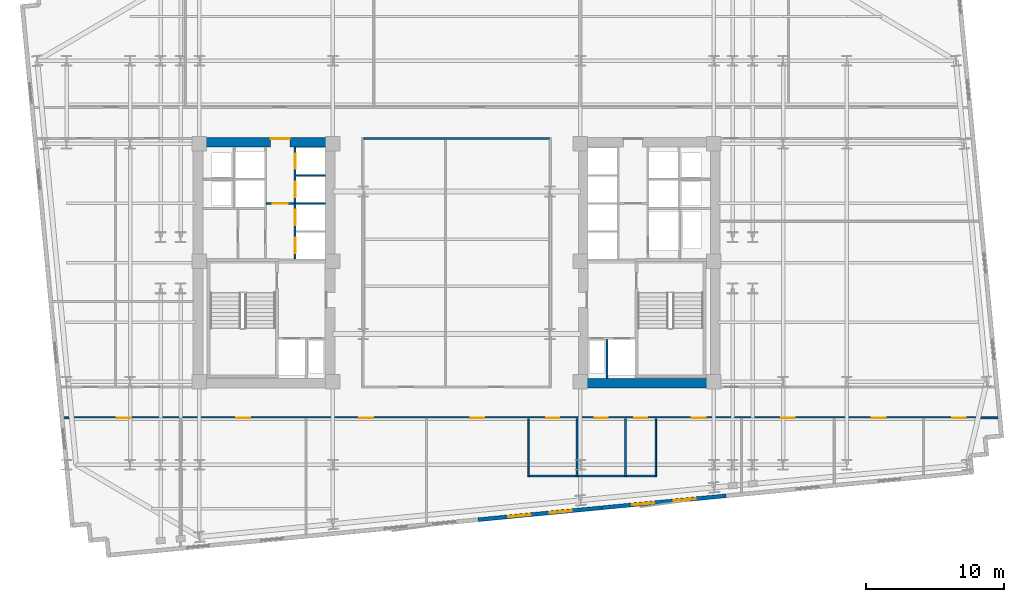
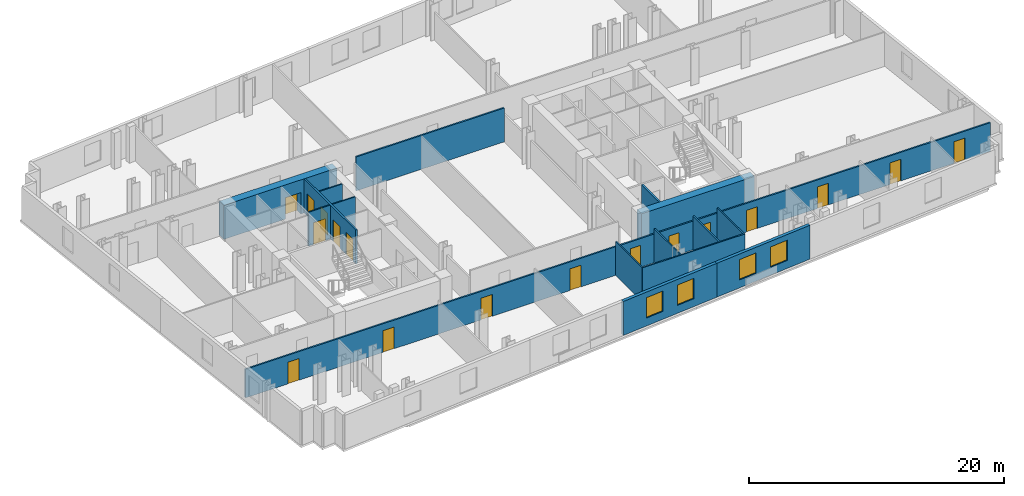
# One storey, part 5 of 10: 17 doors, 16 walls, 4 windows, 21 openings.
"""IFC4 building model written with IfcOpenShell, lengths in metres."""

from ifc_helpers import new_model, si_unit, direction, frame, frame_2d, origin, place, context, subcontext, project, spatial, rectangle, extrude, material, layer, layer_set, type_object, element, fill, save


model = new_model("IFC4")

# Units and contexts
model_context = context("Model", 3, precision=1e-05, world=origin(), true_north=direction((0.0, 1.0)))
body_context = subcontext(model_context, "Body", "Model", "MODEL_VIEW")
ifc_project = project(units=[si_unit("LENGTHUNIT", "METRE"), si_unit("AREAUNIT", "SQUARE_METRE"), si_unit("VOLUMEUNIT", "CUBIC_METRE"), si_unit("PLANEANGLEUNIT", "RADIAN"), si_unit("MASSUNIT", "GRAM", prefix="KILO")], contexts=[model_context])

# Site, building, storey
site_placement = place(None, origin())
site = spatial("IfcSite", under=ifc_project, at=site_placement, CompositionType="ELEMENT")
building_placement = place(site_placement, origin())
building = spatial("IfcBuilding", under=site, at=building_placement, Name="Velakula Bourse", CompositionType="ELEMENT")
storey_placement = place(building_placement, frame((0.0, 0.0, 88.0)))
storey = spatial("IfcBuildingStorey", under=building, at=storey_placement, Name="L23", CompositionType="ELEMENT", Elevation=88.0)

# Wall, opening, door
ifc_material_1 = material(Name="Concrete M70 (fck 70 MPa)", Category="concrete")
ifc_layer_1 = layer(ifc_material_1, 0.699951171875, Name="Concrete M70 (fck 70 MPa)", Category="concrete")
ifc_layer_set_1 = layer_set([ifc_layer_1], Name="Concrete M70 (fck 70 MPa)")
wall_type_1 = type_object("IfcWallType", Name="WL-CORE-700", PredefinedType="SHEAR", material=ifc_layer_set_1)
wall_1_placement = place(storey_placement, frame((-19.050048828125, 8.699951171875, 0.0), z_axis=(0.0, 0.0, 1.0), x_axis=(1.0, 0.0, 0.0)))
wall_1 = element("IfcWall", 1, at=wall_1_placement, inside=storey, type_object=wall_type_1, Name="L23 Core W Shear Wall N", PredefinedType="SHEAR", context=body_context, shape_type="SweptSolid", body=[
    extrude(rectangle(XDim=10.25, YDim=0.699951171875, at=frame_2d((5.125, 0.0))), origin(), (0.0, 0.0, 1.0), 3.27001953125),
])
opening_1_placement = place(wall_1_placement, frame((5.60009765625, 0.0, 0.0)))
opening_1 = element("IfcOpeningElement", 2, at=opening_1_placement, cuts=wall_1, Name="Opening D-LLW", PredefinedType="OPENING", context=body_context, shape_type="SweptSolid", body=[
    extrude(rectangle(XDim=1.39990234375, YDim=2.050048828125, at=frame_2d((0.699951171875, 1.02490234375))), frame((0.0, 0.35986328125, 0.0), z_axis=(0.0, -1.0, 0.0), x_axis=(1.0, 0.0, 0.0)), (0.0, 0.0, 1.0), 0.719970703125),
])
ifc_material_2 = material(Name="Fire-rated hardwood flush architectural door", Category="wood")
door_type_1 = type_object("IfcDoorType", Name="DR-DBL-FD60-1400", OperationType="DOUBLE_DOOR_SINGLE_SWING", PredefinedType="DOOR", material=ifc_material_2)
door_1_placement = place(opening_1_placement, origin())
door_1 = element("IfcDoor", 3, at=door_1_placement, inside=storey, type_object=door_type_1, Name="L23 Core W Lift Lobby Corridor Double Door", OperationType="DOUBLE_DOOR_SINGLE_SWING", OverallHeight=2.050048828125, OverallWidth=1.39990234375, PredefinedType="DOOR", context=body_context, shape_type="SweptSolid", body=[
    extrude(rectangle(XDim=1.39990234375, YDim=2.050048828125, at=frame_2d((0.699951171875, 1.02490234375))), frame((0.0, 0.294921875, 0.0), z_axis=(0.0, -1.0, 0.0), x_axis=(1.0, 0.0, 0.0)), (0.0, 0.0, 1.0), 0.050048828125),
])
fill(opening_1, door_1)

# Wall
wall_2_placement = place(storey_placement, frame((8.800048828125, -8.699951171875, 0.0), z_axis=(0.0, 0.0, 1.0), x_axis=(1.0, 0.0, 0.0)))
element("IfcWall", 4, at=wall_2_placement, inside=storey, type_object=wall_type_1, Name="L23 Core E Shear Wall S", PredefinedType="SHEAR", context=body_context, shape_type="SweptSolid", body=[
    extrude(rectangle(XDim=10.25, YDim=0.699951171875, at=frame_2d((5.125, 0.0))), origin(), (0.0, 0.0, 1.0), 3.27001953125),
])

# Wall, openings, windows
ifc_material_3 = material(Name="Red kilned clay facing brick masonry", Category="masonry")
ifc_layer_2 = layer(ifc_material_3, 0.280029296875, Name="Red kilned clay facing brick masonry", Category="masonry")
ifc_layer_set_2 = layer_set([ifc_layer_2], Name="Red kilned clay facing brick masonry")
wall_type_2 = type_object("IfcWallType", Name="WL-EXT-BRK-280", PredefinedType="STANDARD", material=ifc_layer_set_2)
wall_3_placement = place(storey_placement, frame((10.51513671875, -17.7109375, 0.0), z_axis=(0.0, 0.0, 1.0), x_axis=(-0.995397043619, -0.095836973841, 0.0)))
wall_3 = element("IfcWall", 5, at=wall_3_placement, inside=storey, type_object=wall_type_2, Name="L23 S Brick Spandrel Wall B3", PredefinedType="STANDARD", context=body_context, shape_type="SweptSolid", body=[
    extrude(rectangle(XDim=9.000244140625, YDim=0.280029296875, at=frame_2d((4.5, 0.0))), origin(), (0.0, 0.0, 1.0), 3.25),
])
opening_2_placement = place(wall_3_placement, frame((2.199951171875, 0.0, 0.760009765625)))
opening_2 = element("IfcOpeningElement", 6, at=opening_2_placement, cuts=wall_3, Name="Opening W-02", PredefinedType="OPENING", context=body_context, shape_type="SweptSolid", body=[
    extrude(rectangle(XDim=1.60009765625, YDim=1.949951171875, at=frame_2d((0.800048828125, 0.97509765625))), frame((0.0, 0.14990234375, 0.0), z_axis=(0.0, -1.0, 0.0), x_axis=(1.0, 0.0, 0.0)), (0.0, 0.0, 1.0), 0.300048828125),
])
opening_3_placement = place(wall_3_placement, frame((5.199951171875, 0.0, 0.760009765625)))
opening_3 = element("IfcOpeningElement", 7, at=opening_3_placement, cuts=wall_3, Name="Opening W-02", PredefinedType="OPENING", context=body_context, shape_type="SweptSolid", body=[
    extrude(rectangle(XDim=1.60009765625, YDim=1.949951171875, at=frame_2d((0.800048828125, 0.97509765625))), frame((0.0, 0.14990234375, 0.0), z_axis=(0.0, -1.0, 0.0), x_axis=(1.0, 0.0, 0.0)), (0.0, 0.0, 1.0), 0.300048828125),
])
ifc_material_4 = material(Name="Double-glazed solar-control Low-E glass", Category="glass")
window_type = type_object("IfcWindowType", Name="WIN-TWR-1600x2100", PartitioningType="SINGLE_PANEL", PredefinedType="WINDOW", material=ifc_material_4)
window_1_placement = place(opening_2_placement, origin())
window_1 = element("IfcWindow", 8, at=window_1_placement, inside=storey, type_object=window_type, Name="L23 Deep-Set Recessed Window 1", OverallHeight=1.949951171875, OverallWidth=1.60009765625, PartitioningType="SINGLE_PANEL", PredefinedType="WINDOW", context=body_context, shape_type="SweptSolid", body=[
    extrude(rectangle(XDim=1.60009765625, YDim=1.949951171875, at=frame_2d((0.800048828125, 0.97509765625))), frame((0.0, 0.030029296875, 0.0), z_axis=(0.0, -1.0, 0.0), x_axis=(1.0, 0.0, 0.0)), (0.0, 0.0, 1.0), 0.06005859375),
])
fill(opening_2, window_1)
window_2_placement = place(opening_3_placement, origin())
window_2 = element("IfcWindow", 9, at=window_2_placement, inside=storey, type_object=window_type, Name="L23 Deep-Set Recessed Window 2", OverallHeight=1.949951171875, OverallWidth=1.60009765625, PartitioningType="SINGLE_PANEL", PredefinedType="WINDOW", context=body_context, shape_type="SweptSolid", body=[
    extrude(rectangle(XDim=1.60009765625, YDim=1.949951171875, at=frame_2d((0.800048828125, 0.97509765625))), frame((0.0, 0.030029296875, 0.0), z_axis=(0.0, -1.0, 0.0), x_axis=(1.0, 0.0, 0.0)), (0.0, 0.0, 1.0), 0.06005859375),
])
fill(opening_3, window_2)

wall_4_placement = place(storey_placement, frame((19.4736328125, -16.848388671875, 0.0), z_axis=(0.0, 0.0, 1.0), x_axis=(-0.995396794462, -0.09583956164, 0.0)))
wall_4 = element("IfcWall", 10, at=wall_4_placement, inside=storey, type_object=wall_type_2, Name="L23 S Brick Spandrel Wall B4", PredefinedType="STANDARD", context=body_context, shape_type="SweptSolid", body=[
    extrude(rectangle(XDim=9.0, YDim=0.280029296875, at=frame_2d((4.5, 0.0))), origin(), (0.0, 0.0, 1.0), 3.25),
])
opening_4_placement = place(wall_4_placement, frame((2.199951171875, 0.0, 0.760009765625)))
opening_4 = element("IfcOpeningElement", 11, at=opening_4_placement, cuts=wall_4, Name="Opening W-02", PredefinedType="OPENING", context=body_context, shape_type="SweptSolid", body=[
    extrude(rectangle(XDim=1.60009765625, YDim=1.949951171875, at=frame_2d((0.800048828125, 0.97509765625))), frame((0.0, 0.14990234375, 0.0), z_axis=(0.0, -1.0, 0.0), x_axis=(1.0, 0.0, 0.0)), (0.0, 0.0, 1.0), 0.300048828125),
])
opening_5_placement = place(wall_4_placement, frame((5.199951171875, 0.0, 0.760009765625)))
opening_5 = element("IfcOpeningElement", 12, at=opening_5_placement, cuts=wall_4, Name="Opening W-02", PredefinedType="OPENING", context=body_context, shape_type="SweptSolid", body=[
    extrude(rectangle(XDim=1.60009765625, YDim=1.949951171875, at=frame_2d((0.800048828125, 0.97509765625))), frame((0.0, 0.14990234375, 0.0), z_axis=(0.0, -1.0, 0.0), x_axis=(1.0, 0.0, 0.0)), (0.0, 0.0, 1.0), 0.300048828125),
])
window_3_placement = place(opening_4_placement, origin())
window_3 = element("IfcWindow", 13, at=window_3_placement, inside=storey, type_object=window_type, Name="L23 Deep-Set Recessed Window 1", OverallHeight=1.949951171875, OverallWidth=1.60009765625, PartitioningType="SINGLE_PANEL", PredefinedType="WINDOW", context=body_context, shape_type="SweptSolid", body=[
    extrude(rectangle(XDim=1.60009765625, YDim=1.949951171875, at=frame_2d((0.800048828125, 0.97509765625))), frame((0.0, 0.030029296875, 0.0), z_axis=(0.0, -1.0, 0.0), x_axis=(1.0, 0.0, 0.0)), (0.0, 0.0, 1.0), 0.06005859375),
])
fill(opening_4, window_3)
window_4_placement = place(opening_5_placement, origin())
window_4 = element("IfcWindow", 14, at=window_4_placement, inside=storey, type_object=window_type, Name="L23 Deep-Set Recessed Window 2", OverallHeight=1.949951171875, OverallWidth=1.60009765625, PartitioningType="SINGLE_PANEL", PredefinedType="WINDOW", context=body_context, shape_type="SweptSolid", body=[
    extrude(rectangle(XDim=1.60009765625, YDim=1.949951171875, at=frame_2d((0.800048828125, 0.97509765625))), frame((0.0, 0.030029296875, 0.0), z_axis=(0.0, -1.0, 0.0), x_axis=(1.0, 0.0, 0.0)), (0.0, 0.0, 1.0), 0.06005859375),
])
fill(opening_5, window_4)

# Wall, opening, door
ifc_material_5 = material(Name="Fire-rated double-layer gypsum drywall partition", Category="gypsum")
ifc_layer_3 = layer(ifc_material_5, 0.1201171875, Name="Fire-rated double-layer gypsum drywall partition", Category="gypsum")
ifc_layer_set_3 = layer_set([ifc_layer_3], Name="Fire-rated double-layer gypsum drywall partition")
wall_type_3 = type_object("IfcWallType", Name="WL-PART-120", PredefinedType="STANDARD", material=ifc_layer_set_3)
wall_5_placement = place(storey_placement, frame((-13.75, 4.280029296875, 0.0), z_axis=(0.0, 0.0, 1.0), x_axis=(1.0, 0.0, 0.0)))
wall_5 = element("IfcWall", 15, at=wall_5_placement, inside=storey, type_object=wall_type_3, Name="L23 Interior Partition WL-CRW-L23-LL-K2", PredefinedType="STANDARD", context=body_context, shape_type="SweptSolid", body=[
    extrude(rectangle(XDim=2.0, YDim=0.1201171875, at=frame_2d((1.0, 0.0))), origin(), (0.0, 0.0, 1.0), 3.25),
])
opening_6_placement = place(wall_5_placement, frame((0.449951171875, 0.0, 0.0)))
opening_6 = element("IfcOpeningElement", 16, at=opening_6_placement, cuts=wall_5, Name="Opening D-LK2", PredefinedType="OPENING", context=body_context, shape_type="SweptSolid", body=[
    extrude(rectangle(XDim=1.10009765625, YDim=2.10009765625, at=frame_2d((0.550048828125, 1.050048828125))), frame((0.0, 0.070068359375, 0.0), z_axis=(0.0, -1.0, 0.0), x_axis=(1.0, 0.0, 0.0)), (0.0, 0.0, 1.0), 0.14013671875),
])
door_type_2 = type_object("IfcDoorType", Name="DR-FD60-1100x2100", OperationType="NOTDEFINED", PredefinedType="DOOR", material=ifc_material_2)
door_2_placement = place(opening_6_placement, origin())
door_2 = element("IfcDoor", 17, at=door_2_placement, inside=storey, type_object=door_type_2, Name="L23 Core W Lift Lobby Zone Door", OperationType="SINGLE_SWING_RIGHT", OverallHeight=2.10009765625, OverallWidth=1.10009765625, PredefinedType="DOOR", context=body_context, shape_type="SweptSolid", body=[
    extrude(rectangle(XDim=1.10009765625, YDim=2.10009765625, at=frame_2d((0.550048828125, 1.050048828125))), frame((0.0, 0.02490234375, 0.0), z_axis=(0.0, -1.0, 0.0), x_axis=(1.0, 0.0, 0.0)), (0.0, 0.0, 1.0), 0.050048828125),
])
fill(opening_6, door_2)

# Walls
for number, where, z_axis, x_axis, name in (
    (18, (-11.60009765625, 4.284912109375, 0.0), (0.0, 0.0, 1.0), (1.0, 0.0, 0.0), "L23 Interior Partition WL-CRW-L23-BDIV-1"),
    (19, (-11.60009765625, 6.31494140625, 0.0), (0.0, 0.0, 1.0), (1.0, 0.0, 0.0), "L23 Interior Partition WL-CRW-L23-BDIV-2"),
):
    element("IfcWall", number, at=place(storey_placement, frame(where, z_axis=z_axis, x_axis=x_axis)), inside=storey, type_object=wall_type_3, Name=name, PredefinedType="STANDARD", context=body_context, shape_type="SweptSolid", body=[
        extrude(rectangle(XDim=2.10009765625, YDim=0.110107421875, at=frame_2d((1.050048828125, 0.0))), origin(), (0.0, 0.0, 1.0), 3.25),
    ])
wall_6_placement = place(storey_placement, frame((5.139892578125, -15.419921875, 0.0), z_axis=(0.0, 0.0, 1.0), x_axis=(1.0, 0.0, 0.0)))
element("IfcWall", 20, at=wall_6_placement, inside=storey, type_object=wall_type_3, Name="L23 Interior Partition WL-WC-L23-BACK", PredefinedType="STANDARD", context=body_context, shape_type="SweptSolid", body=[
    extrude(rectangle(XDim=9.320068359375, YDim=0.1201171875, at=frame_2d((4.66015625, 0.0))), origin(), (0.0, 0.0, 1.0), 3.25),
])
for number, where, z_axis, x_axis, name in (
    (21, (5.199951171875, -15.419921875, 0.0), (0.0, 0.0, 1.0), (0.0, 1.0, 0.0), "L23 Interior Partition WL-WC-L23-V1"),
    (22, (8.699951171875, -15.419921875, 0.0), (0.0, 0.0, 1.0), (0.0, 1.0, 0.0), "L23 Interior Partition WL-WC-L23-V2"),
    (23, (12.199951171875, -15.419921875, 0.0), (0.0, 0.0, 1.0), (0.0, 1.0, 0.0), "L23 Interior Partition WL-WC-L23-V3"),
    (24, (14.39990234375, -15.419921875, 0.0), (0.0, 0.0, 1.0), (0.0, 1.0, 0.0), "L23 Interior Partition WL-WC-L23-V4"),
):
    element("IfcWall", number, at=place(storey_placement, frame(where, z_axis=z_axis, x_axis=x_axis)), inside=storey, type_object=wall_type_3, Name=name, PredefinedType="STANDARD", context=body_context, shape_type="SweptSolid", body=[
        extrude(rectangle(XDim=4.1298828125, YDim=0.1201171875, at=frame_2d((2.06494140625, 0.0))), origin(), (0.0, 0.0, 1.0), 3.25),
    ])

# Wall, openings, doors
ifc_layer_4 = layer(ifc_material_5, 0.139892578125, Name="Fire-rated double-layer gypsum drywall partition", Category="gypsum")
ifc_layer_set_4 = layer_set([ifc_layer_4], Name="Fire-rated double-layer gypsum drywall partition")
wall_type_4 = type_object("IfcWallType", Name="WL-PART-140", PredefinedType="STANDARD", material=ifc_layer_set_4)
wall_7_placement = place(storey_placement, frame((-28.40625, -11.219970703125, 0.0), z_axis=(0.0, 0.0, 1.0), x_axis=(1.0, 0.0, 0.0)))
wall_7 = element("IfcWall", 25, at=wall_7_placement, inside=storey, type_object=wall_type_4, Name="L23 Interior Partition WL-INT-L23-S-CORR", PredefinedType="STANDARD", context=body_context, shape_type="SweptSolid", body=[
    extrude(rectangle(XDim=67.551025390625, YDim=0.139892578125, at=frame_2d((33.775390625, 0.0))), origin(), (0.0, 0.0, 1.0), 2.7451171875),
])
opening_7_placement = place(wall_7_placement, frame((34.896240234375, 0.0, 0.0)))
opening_7 = element("IfcOpeningElement", 26, at=opening_7_placement, cuts=wall_7, Name="Opening D-WT1", PredefinedType="OPENING", context=body_context, shape_type="SweptSolid", body=[
    extrude(rectangle(XDim=0.919921875, YDim=2.080078125, at=frame_2d((0.4599609375, 1.0400390625))), frame((0.0, 0.079833984375, 0.0), z_axis=(0.0, -1.0, 0.0), x_axis=(1.0, 0.0, 0.0)), (0.0, 0.0, 1.0), 0.159912109375),
])
opening_8_placement = place(wall_7_placement, frame((38.396240234375, 0.0, 0.0)))
opening_8 = element("IfcOpeningElement", 27, at=opening_8_placement, cuts=wall_7, Name="Opening D-WT1", PredefinedType="OPENING", context=body_context, shape_type="SweptSolid", body=[
    extrude(rectangle(XDim=0.919921875, YDim=2.080078125, at=frame_2d((0.4599609375, 1.0400390625))), frame((0.0, 0.079833984375, 0.0), z_axis=(0.0, -1.0, 0.0), x_axis=(1.0, 0.0, 0.0)), (0.0, 0.0, 1.0), 0.159912109375),
])
opening_9_placement = place(wall_7_placement, frame((41.246337890625, 0.0, 0.0)))
opening_9 = element("IfcOpeningElement", 28, at=opening_9_placement, cuts=wall_7, Name="Opening D-WC1", PredefinedType="OPENING", context=body_context, shape_type="SweptSolid", body=[
    extrude(rectangle(XDim=0.919921875, YDim=2.080078125, at=frame_2d((0.4599609375, 1.0400390625))), frame((0.0, 0.079833984375, 0.0), z_axis=(0.0, -1.0, 0.0), x_axis=(1.0, 0.0, 0.0)), (0.0, 0.0, 1.0), 0.159912109375),
])
opening_10_placement = place(wall_7_placement, frame((3.85205078125, 0.0, 0.0)))
opening_10 = element("IfcOpeningElement", 29, at=opening_10_placement, cuts=wall_7, Name="Opening D-OF1", PredefinedType="OPENING", context=body_context, shape_type="SweptSolid", body=[
    extrude(rectangle(XDim=1.0, YDim=2.080078125, at=frame_2d((0.5, 1.0400390625))), frame((0.0, 0.079833984375, 0.0), z_axis=(0.0, -1.0, 0.0), x_axis=(1.0, 0.0, 0.0)), (0.0, 0.0, 1.0), 0.159912109375),
])
opening_11_placement = place(wall_7_placement, frame((12.479736328125, 0.0, 0.0)))
opening_11 = element("IfcOpeningElement", 30, at=opening_11_placement, cuts=wall_7, Name="Opening D-OF1", PredefinedType="OPENING", context=body_context, shape_type="SweptSolid", body=[
    extrude(rectangle(XDim=1.0, YDim=2.080078125, at=frame_2d((0.5, 1.0400390625))), frame((0.0, 0.079833984375, 0.0), z_axis=(0.0, -1.0, 0.0), x_axis=(1.0, 0.0, 0.0)), (0.0, 0.0, 1.0), 0.159912109375),
])
opening_12_placement = place(wall_7_placement, frame((21.3671875, 0.0, 0.0)))
opening_12 = element("IfcOpeningElement", 31, at=opening_12_placement, cuts=wall_7, Name="Opening D-OF1", PredefinedType="OPENING", context=body_context, shape_type="SweptSolid", body=[
    extrude(rectangle(XDim=1.0, YDim=2.080078125, at=frame_2d((0.5, 1.0400390625))), frame((0.0, 0.079833984375, 0.0), z_axis=(0.0, -1.0, 0.0), x_axis=(1.0, 0.0, 0.0)), (0.0, 0.0, 1.0), 0.159912109375),
])
opening_13_placement = place(wall_7_placement, frame((29.416748046875, 0.0, 0.0)))
opening_13 = element("IfcOpeningElement", 32, at=opening_13_placement, cuts=wall_7, Name="Opening D-OF1", PredefinedType="OPENING", context=body_context, shape_type="SweptSolid", body=[
    extrude(rectangle(XDim=1.0, YDim=2.080078125, at=frame_2d((0.5, 1.0400390625))), frame((0.0, 0.079833984375, 0.0), z_axis=(0.0, -1.0, 0.0), x_axis=(1.0, 0.0, 0.0)), (0.0, 0.0, 1.0), 0.159912109375),
])
opening_14_placement = place(wall_7_placement, frame((45.4052734375, 0.0, 0.0)))
opening_14 = element("IfcOpeningElement", 33, at=opening_14_placement, cuts=wall_7, Name="Opening D-OF1", PredefinedType="OPENING", context=body_context, shape_type="SweptSolid", body=[
    extrude(rectangle(XDim=1.0, YDim=2.080078125, at=frame_2d((0.5, 1.0400390625))), frame((0.0, 0.079833984375, 0.0), z_axis=(0.0, -1.0, 0.0), x_axis=(1.0, 0.0, 0.0)), (0.0, 0.0, 1.0), 0.159912109375),
])
opening_15_placement = place(wall_7_placement, frame((51.851806640625, 0.0, 0.0)))
opening_15 = element("IfcOpeningElement", 34, at=opening_15_placement, cuts=wall_7, Name="Opening D-OF1", PredefinedType="OPENING", context=body_context, shape_type="SweptSolid", body=[
    extrude(rectangle(XDim=1.0, YDim=2.080078125, at=frame_2d((0.5, 1.0400390625))), frame((0.0, 0.079833984375, 0.0), z_axis=(0.0, -1.0, 0.0), x_axis=(1.0, 0.0, 0.0)), (0.0, 0.0, 1.0), 0.159912109375),
])
opening_16_placement = place(wall_7_placement, frame((58.42236328125, 0.0, 0.0)))
opening_16 = element("IfcOpeningElement", 35, at=opening_16_placement, cuts=wall_7, Name="Opening D-OF1", PredefinedType="OPENING", context=body_context, shape_type="SweptSolid", body=[
    extrude(rectangle(XDim=1.0, YDim=2.080078125, at=frame_2d((0.5, 1.0400390625))), frame((0.0, 0.079833984375, 0.0), z_axis=(0.0, -1.0, 0.0), x_axis=(1.0, 0.0, 0.0)), (0.0, 0.0, 1.0), 0.159912109375),
])
opening_17_placement = place(wall_7_placement, frame((64.22216796875, 0.0, 0.0)))
opening_17 = element("IfcOpeningElement", 36, at=opening_17_placement, cuts=wall_7, Name="Opening D-OF1", PredefinedType="OPENING", context=body_context, shape_type="SweptSolid", body=[
    extrude(rectangle(XDim=1.0, YDim=2.080078125, at=frame_2d((0.5, 1.0400390625))), frame((0.0, 0.079833984375, 0.0), z_axis=(0.0, -1.0, 0.0), x_axis=(1.0, 0.0, 0.0)), (0.0, 0.0, 1.0), 0.159912109375),
])
door_type_3 = type_object("IfcDoorType", Name="DR-OFF-1000", OperationType="NOTDEFINED", PredefinedType="DOOR", material=ifc_material_2)
door_3_placement = place(opening_10_placement, origin())
door_3 = element("IfcDoor", 37, at=door_3_placement, inside=storey, type_object=door_type_3, Name="L23 Sky-Garden Veranda Lounge Door", OperationType="SINGLE_SWING_LEFT", OverallHeight=2.080078125, OverallWidth=1.0, PredefinedType="DOOR", context=body_context, shape_type="SweptSolid", body=[
    extrude(rectangle(XDim=1.0, YDim=2.080078125, at=frame_2d((0.5, 1.0400390625))), frame((0.0, 0.02490234375, 0.0), z_axis=(0.0, -1.0, 0.0), x_axis=(1.0, 0.0, 0.0)), (0.0, 0.0, 1.0), 0.050048828125),
])
fill(opening_10, door_3)
door_4_placement = place(opening_11_placement, origin())
door_4 = element("IfcDoor", 38, at=door_4_placement, inside=storey, type_object=door_type_3, Name="L23 General Counsel Office Door", OperationType="SINGLE_SWING_RIGHT", OverallHeight=2.080078125, OverallWidth=1.0, PredefinedType="DOOR", context=body_context, shape_type="SweptSolid", body=[
    extrude(rectangle(XDim=1.0, YDim=2.080078125, at=frame_2d((0.5, 1.0400390625))), frame((0.0, 0.02490234375, 0.0), z_axis=(0.0, -1.0, 0.0), x_axis=(1.0, 0.0, 0.0)), (0.0, 0.0, 1.0), 0.050048828125),
])
fill(opening_11, door_4)
door_5_placement = place(opening_12_placement, origin())
door_5 = element("IfcDoor", 39, at=door_5_placement, inside=storey, type_object=door_type_3, Name="L23 Yield Curve Seminar Room Door", OperationType="SINGLE_SWING_LEFT", OverallHeight=2.080078125, OverallWidth=1.0, PredefinedType="DOOR", context=body_context, shape_type="SweptSolid", body=[
    extrude(rectangle(XDim=1.0, YDim=2.080078125, at=frame_2d((0.5, 1.0400390625))), frame((0.0, 0.02490234375, 0.0), z_axis=(0.0, -1.0, 0.0), x_axis=(1.0, 0.0, 0.0)), (0.0, 0.0, 1.0), 0.050048828125),
])
fill(opening_12, door_5)
door_6_placement = place(opening_13_placement, origin())
door_6 = element("IfcDoor", 40, at=door_6_placement, inside=storey, type_object=door_type_3, Name="L23 Traders Pantry Door", OperationType="SINGLE_SWING_RIGHT", OverallHeight=2.080078125, OverallWidth=1.0, PredefinedType="DOOR", context=body_context, shape_type="SweptSolid", body=[
    extrude(rectangle(XDim=1.0, YDim=2.080078125, at=frame_2d((0.5, 1.0400390625))), frame((0.0, 0.02490234375, 0.0), z_axis=(0.0, -1.0, 0.0), x_axis=(1.0, 0.0, 0.0)), (0.0, 0.0, 1.0), 0.050048828125),
])
fill(opening_13, door_6)
door_7_placement = place(opening_14_placement, origin())
door_7 = element("IfcDoor", 41, at=door_7_placement, inside=storey, type_object=door_type_3, Name="L23 Prime-Brokerage Dealing Workspace Door", OperationType="SINGLE_SWING_LEFT", OverallHeight=2.080078125, OverallWidth=1.0, PredefinedType="DOOR", context=body_context, shape_type="SweptSolid", body=[
    extrude(rectangle(XDim=1.0, YDim=2.080078125, at=frame_2d((0.5, 1.0400390625))), frame((0.0, 0.02490234375, 0.0), z_axis=(0.0, -1.0, 0.0), x_axis=(1.0, 0.0, 0.0)), (0.0, 0.0, 1.0), 0.050048828125),
])
fill(opening_14, door_7)
door_8_placement = place(opening_15_placement, origin())
door_8 = element("IfcDoor", 42, at=door_8_placement, inside=storey, type_object=door_type_3, Name="L23 Primary Dealer Office Door", OperationType="SINGLE_SWING_RIGHT", OverallHeight=2.080078125, OverallWidth=1.0, PredefinedType="DOOR", context=body_context, shape_type="SweptSolid", body=[
    extrude(rectangle(XDim=1.0, YDim=2.080078125, at=frame_2d((0.5, 1.0400390625))), frame((0.0, 0.02490234375, 0.0), z_axis=(0.0, -1.0, 0.0), x_axis=(1.0, 0.0, 0.0)), (0.0, 0.0, 1.0), 0.050048828125),
])
fill(opening_15, door_8)
door_9_placement = place(opening_16_placement, origin())
door_9 = element("IfcDoor", 43, at=door_9_placement, inside=storey, type_object=door_type_3, Name="L23 Sky-Garden Veranda Lounge Door", OperationType="SINGLE_SWING_LEFT", OverallHeight=2.080078125, OverallWidth=1.0, PredefinedType="DOOR", context=body_context, shape_type="SweptSolid", body=[
    extrude(rectangle(XDim=1.0, YDim=2.080078125, at=frame_2d((0.5, 1.0400390625))), frame((0.0, 0.02490234375, 0.0), z_axis=(0.0, -1.0, 0.0), x_axis=(1.0, 0.0, 0.0)), (0.0, 0.0, 1.0), 0.050048828125),
])
fill(opening_16, door_9)
door_10_placement = place(opening_17_placement, origin())
door_10 = element("IfcDoor", 44, at=door_10_placement, inside=storey, type_object=door_type_3, Name="L23 General Counsel Office Door", OperationType="SINGLE_SWING_RIGHT", OverallHeight=2.080078125, OverallWidth=1.0, PredefinedType="DOOR", context=body_context, shape_type="SweptSolid", body=[
    extrude(rectangle(XDim=1.0, YDim=2.080078125, at=frame_2d((0.5, 1.0400390625))), frame((0.0, 0.02490234375, 0.0), z_axis=(0.0, -1.0, 0.0), x_axis=(1.0, 0.0, 0.0)), (0.0, 0.0, 1.0), 0.050048828125),
])
fill(opening_17, door_10)
door_type_4 = type_object("IfcDoorType", Name="DR-WC-950", OperationType="NOTDEFINED", PredefinedType="DOOR", material=ifc_material_2)
door_11_placement = place(opening_7_placement, origin())
door_11 = element("IfcDoor", 45, at=door_11_placement, inside=storey, type_object=door_type_4, Name="L23 Male Staff Toilet Door", OperationType="SINGLE_SWING_RIGHT", OverallHeight=2.080078125, OverallWidth=0.919921875, PredefinedType="DOOR", context=body_context, shape_type="SweptSolid", body=[
    extrude(rectangle(XDim=0.919921875, YDim=2.080078125, at=frame_2d((0.4599609375, 1.0400390625))), frame((0.0, 0.02490234375, 0.0), z_axis=(0.0, -1.0, 0.0), x_axis=(1.0, 0.0, 0.0)), (0.0, 0.0, 1.0), 0.050048828125),
])
fill(opening_7, door_11)
door_12_placement = place(opening_8_placement, origin())
door_12 = element("IfcDoor", 46, at=door_12_placement, inside=storey, type_object=door_type_4, Name="L23 Female Staff Toilet Door", OperationType="SINGLE_SWING_LEFT", OverallHeight=2.080078125, OverallWidth=0.919921875, PredefinedType="DOOR", context=body_context, shape_type="SweptSolid", body=[
    extrude(rectangle(XDim=0.919921875, YDim=2.080078125, at=frame_2d((0.4599609375, 1.0400390625))), frame((0.0, 0.02490234375, 0.0), z_axis=(0.0, -1.0, 0.0), x_axis=(1.0, 0.0, 0.0)), (0.0, 0.0, 1.0), 0.050048828125),
])
fill(opening_8, door_12)
door_13_placement = place(opening_9_placement, origin())
door_13 = element("IfcDoor", 47, at=door_13_placement, inside=storey, type_object=door_type_4, Name="L23 Accessible WC Door", OperationType="SINGLE_SWING_RIGHT", OverallHeight=2.080078125, OverallWidth=0.919921875, PredefinedType="DOOR", context=body_context, shape_type="SweptSolid", body=[
    extrude(rectangle(XDim=0.919921875, YDim=2.080078125, at=frame_2d((0.4599609375, 1.0400390625))), frame((0.0, 0.02490234375, 0.0), z_axis=(0.0, -1.0, 0.0), x_axis=(1.0, 0.0, 0.0)), (0.0, 0.0, 1.0), 0.050048828125),
])
fill(opening_9, door_13)

# Wall
wall_8_placement = place(storey_placement, frame((-6.7099609375, 8.97998046875, 0.0), z_axis=(0.0, 0.0, 1.0), x_axis=(1.0, 0.0, 0.0)))
element("IfcWall", 48, at=wall_8_placement, inside=storey, type_object=wall_type_4, Name="L23 Interior Partition WL-INT-L23-MID-N", PredefinedType="STANDARD", context=body_context, shape_type="SweptSolid", body=[
    extrude(rectangle(XDim=13.419921875, YDim=0.139892578125, at=frame_2d((6.7099609375, 0.0))), origin(), (0.0, 0.0, 1.0), 3.25),
])

# Wall, openings, doors
ifc_material_6 = material(Name="Autoclaved aerated concrete blockwork masonry", Category="masonry")
ifc_layer_5 = layer(ifc_material_6, 0.14990234375, Name="Autoclaved aerated concrete blockwork masonry", Category="masonry")
ifc_layer_set_5 = layer_set([ifc_layer_5], Name="Autoclaved aerated concrete blockwork masonry")
wall_type_5 = type_object("IfcWallType", Name="WL-SHAFT-150", PredefinedType="STANDARD", material=ifc_layer_set_5)
wall_9_placement = place(storey_placement, frame((-11.675048828125, 0.27001953125, 0.0), z_axis=(0.0, 0.0, 1.0), x_axis=(0.0, 1.0, 0.0)))
wall_9 = element("IfcWall", 49, at=wall_9_placement, inside=storey, type_object=wall_type_5, Name="L23 Interior Partition WL-CRW-L23-BANK-F", PredefinedType="STANDARD", context=body_context, shape_type="SweptSolid", body=[
    extrude(rectangle(XDim=8.080078125, YDim=0.14990234375, at=frame_2d((4.0400390625, 0.0))), origin(), (0.0, 0.0, 1.0), 3.25),
])
opening_18_placement = place(wall_9_placement, frame((0.419921875, 0.0, 0.0)))
opening_18 = element("IfcOpeningElement", 50, at=opening_18_placement, cuts=wall_9, Name="Opening LD-P1", PredefinedType="OPENING", context=body_context, shape_type="SweptSolid", body=[
    extrude(rectangle(XDim=1.10009765625, YDim=2.10009765625, at=frame_2d((0.550048828125, 1.050048828125))), frame((0.0, 0.0849609375, 0.0), z_axis=(0.0, -1.0, 0.0), x_axis=(1.0, 0.0, 0.0)), (0.0, 0.0, 1.0), 0.169921875),
])
opening_19_placement = place(wall_9_placement, frame((2.449951171875, 0.0, 0.0)))
opening_19 = element("IfcOpeningElement", 51, at=opening_19_placement, cuts=wall_9, Name="Opening LD-P2", PredefinedType="OPENING", context=body_context, shape_type="SweptSolid", body=[
    extrude(rectangle(XDim=1.10009765625, YDim=2.10009765625, at=frame_2d((0.550048828125, 1.050048828125))), frame((0.0, 0.0849609375, 0.0), z_axis=(0.0, -1.0, 0.0), x_axis=(1.0, 0.0, 0.0)), (0.0, 0.0, 1.0), 0.169921875),
])
opening_20_placement = place(wall_9_placement, frame((4.47998046875, 0.0, 0.0)))
opening_20 = element("IfcOpeningElement", 52, at=opening_20_placement, cuts=wall_9, Name="Opening LD-P3", PredefinedType="OPENING", context=body_context, shape_type="SweptSolid", body=[
    extrude(rectangle(XDim=1.10009765625, YDim=2.10009765625, at=frame_2d((0.550048828125, 1.050048828125))), frame((0.0, 0.0849609375, 0.0), z_axis=(0.0, -1.0, 0.0), x_axis=(1.0, 0.0, 0.0)), (0.0, 0.0, 1.0), 0.169921875),
])
opening_21_placement = place(wall_9_placement, frame((6.510009765625, 0.0, 0.0)))
opening_21 = element("IfcOpeningElement", 53, at=opening_21_placement, cuts=wall_9, Name="Opening LD-P4", PredefinedType="OPENING", context=body_context, shape_type="SweptSolid", body=[
    extrude(rectangle(XDim=1.10009765625, YDim=2.10009765625, at=frame_2d((0.550048828125, 1.050048828125))), frame((0.0, 0.0849609375, 0.0), z_axis=(0.0, -1.0, 0.0), x_axis=(1.0, 0.0, 0.0)), (0.0, 0.0, 1.0), 0.169921875),
])
ifc_material_7 = material(Name="Brushed grade 316 stainless steel", Category="steel")
door_type_5 = type_object("IfcDoorType", Name="DR-SLIDE-LD-1100", OperationType="DOUBLE_DOOR_SLIDING", PredefinedType="DOOR", material=ifc_material_7)
door_14_placement = place(opening_18_placement, origin())
door_14 = element("IfcDoor", 54, at=door_14_placement, inside=storey, type_object=door_type_5, Name="L23 Passenger Lift P1 Sliding Landing Door", OperationType="DOUBLE_DOOR_SLIDING", OverallHeight=2.10009765625, OverallWidth=1.10009765625, PredefinedType="DOOR", context=body_context, shape_type="SweptSolid", body=[
    extrude(rectangle(XDim=1.10009765625, YDim=2.10009765625, at=frame_2d((0.550048828125, 1.050048828125))), frame((0.0, 0.02490234375, 0.0), z_axis=(0.0, -1.0, 0.0), x_axis=(1.0, 0.0, 0.0)), (0.0, 0.0, 1.0), 0.050048828125),
])
fill(opening_18, door_14)
door_15_placement = place(opening_19_placement, origin())
door_15 = element("IfcDoor", 55, at=door_15_placement, inside=storey, type_object=door_type_5, Name="L23 Passenger Lift P2 Sliding Landing Door", OperationType="DOUBLE_DOOR_SLIDING", OverallHeight=2.10009765625, OverallWidth=1.10009765625, PredefinedType="DOOR", context=body_context, shape_type="SweptSolid", body=[
    extrude(rectangle(XDim=1.10009765625, YDim=2.10009765625, at=frame_2d((0.550048828125, 1.050048828125))), frame((0.0, 0.02490234375, 0.0), z_axis=(0.0, -1.0, 0.0), x_axis=(1.0, 0.0, 0.0)), (0.0, 0.0, 1.0), 0.050048828125),
])
fill(opening_19, door_15)
door_16_placement = place(opening_20_placement, origin())
door_16 = element("IfcDoor", 56, at=door_16_placement, inside=storey, type_object=door_type_5, Name="L23 Passenger Lift P3 Sliding Landing Door", OperationType="DOUBLE_DOOR_SLIDING", OverallHeight=2.10009765625, OverallWidth=1.10009765625, PredefinedType="DOOR", context=body_context, shape_type="SweptSolid", body=[
    extrude(rectangle(XDim=1.10009765625, YDim=2.10009765625, at=frame_2d((0.550048828125, 1.050048828125))), frame((0.0, 0.02490234375, 0.0), z_axis=(0.0, -1.0, 0.0), x_axis=(1.0, 0.0, 0.0)), (0.0, 0.0, 1.0), 0.050048828125),
])
fill(opening_20, door_16)
door_17_placement = place(opening_21_placement, origin())
door_17 = element("IfcDoor", 57, at=door_17_placement, inside=storey, type_object=door_type_5, Name="L23 Passenger Lift P4 Sliding Landing Door", OperationType="DOUBLE_DOOR_SLIDING", OverallHeight=2.10009765625, OverallWidth=1.10009765625, PredefinedType="DOOR", context=body_context, shape_type="SweptSolid", body=[
    extrude(rectangle(XDim=1.10009765625, YDim=2.10009765625, at=frame_2d((0.550048828125, 1.050048828125))), frame((0.0, 0.02490234375, 0.0), z_axis=(0.0, -1.0, 0.0), x_axis=(1.0, 0.0, 0.0)), (0.0, 0.0, 1.0), 0.050048828125),
])
fill(opening_21, door_17)

# Wall
wall_10_placement = place(storey_placement, frame((10.875, -8.35009765625, 0.0), z_axis=(0.0, 0.0, 1.0), x_axis=(0.0, 1.0, 0.0)))
element("IfcWall", 58, at=wall_10_placement, inside=storey, type_object=wall_type_5, Name="L23 Interior Partition WL-CRE-L23-FR-DIV", PredefinedType="STANDARD", context=body_context, shape_type="SweptSolid", body=[
    extrude(rectangle(XDim=2.800048828125, YDim=0.14990234375, at=frame_2d((1.39990234375, 0.0))), origin(), (0.0, 0.0, 1.0), 3.25),
])

save(model, "model.ifc")
